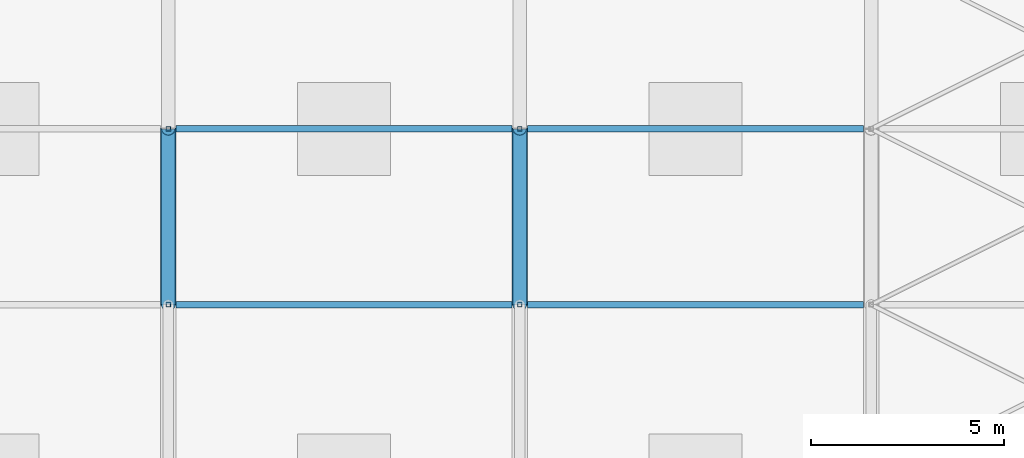
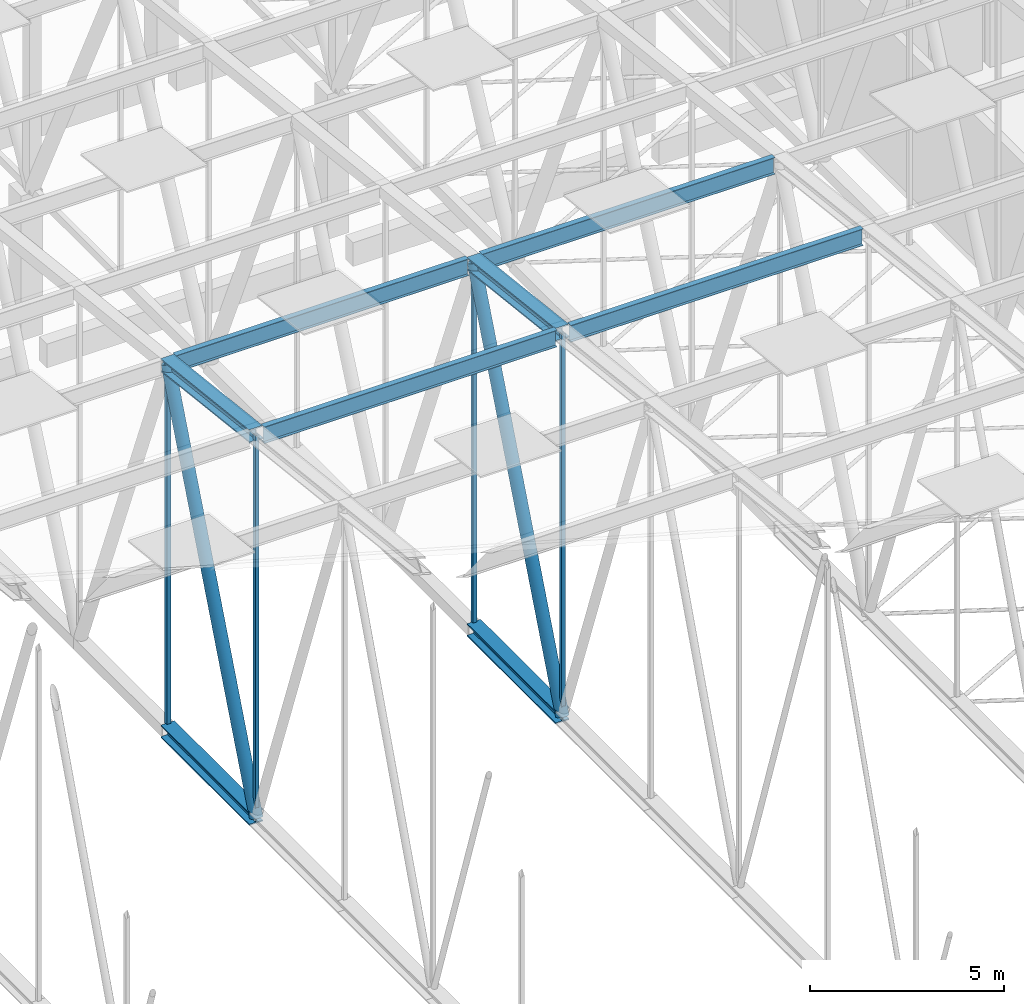
# One storey, part 268 of 500: 14 members.
"""IFC4 building model written with IfcOpenShell, lengths in metres."""

from ifc_helpers import new_model, si_unit, direction, frame, origin, origin_2d, place, context, subcontext, project, spatial, hollow_rectangle, hollow_circle, i_section, extrude, material, material_profile, profile_set, type_object, element, save


model = new_model("IFC4")

# Units and contexts
model_context = context("Model", 3, precision=1e-05, world=origin(), true_north=direction((0.0, 1.0)))
body_context = subcontext(model_context, "Body", "Model", "MODEL_VIEW")
ifc_project = project(units=[si_unit("LENGTHUNIT", "METRE"), si_unit("AREAUNIT", "SQUARE_METRE"), si_unit("VOLUMEUNIT", "CUBIC_METRE"), si_unit("PLANEANGLEUNIT", "RADIAN"), si_unit("MASSUNIT", "GRAM", prefix="KILO")], contexts=[model_context])

# Site, building, storey
site_placement = place(None, origin())
site = spatial("IfcSite", under=ifc_project, at=site_placement, CompositionType="ELEMENT")
building_placement = place(site_placement, origin())
building = spatial("IfcBuilding", under=site, at=building_placement, Name="Shirokan Park Arena", CompositionType="ELEMENT")
storey_placement = place(building_placement, frame((0.0, 0.0, 29.1201171875)))
storey = spatial("IfcBuildingStorey", under=building, at=storey_placement, Name="L06", CompositionType="ELEMENT", Elevation=29.1201171875)

# Members
ifc_material_1 = material(Name="Steel ASTM A992", Category="steel")
ifc_material_profile_1 = material_profile(ifc_material_1, i_section(OverallWidth=0.40087890625, OverallDepth=0.39892578125, WebThickness=0.02490234375, FlangeThickness=0.03955078125, at=origin_2d()), Name="W360X314")
ifc_profile_set_1 = profile_set([ifc_material_profile_1], Name="Steel ASTM A992")
member_type_1 = type_object("IfcMemberType", Name="Bottom chord W360X314", PredefinedType="CHORD", material=ifc_profile_set_1)
for number, where, z_axis, x_axis, name in (
    (1, (72.800048828125, 72.800048828125, 4.677001953125), (0.0, 1.0, 0.0), (-1.0, 0.0, 0.0), "Truss T09 bottom chord 19"),
    (2, (81.89990234375, 72.800048828125, 4.677001953125), (0.0, 1.0, 0.0), (-1.0, 0.0, 0.0), "Truss T10 bottom chord 19"),
):
    element("IfcMember", number, at=place(storey_placement, frame(where, z_axis=z_axis, x_axis=x_axis)), inside=storey, type_object=member_type_1, Name=name, PredefinedType="CHORD", context=body_context, shape_type="SweptSolid", body=[
        extrude(i_section(OverallWidth=0.40087890625, OverallDepth=0.39892578125, WebThickness=0.02490234375, FlangeThickness=0.03955078125, at=origin_2d()), origin(), (0.0, 0.0, 1.0), 4.550048828125),
    ])
ifc_material_profile_2 = material_profile(ifc_material_1, i_section(OverallWidth=0.166015625, OverallDepth=0.528076171875, WebThickness=0.009765625, FlangeThickness=0.013671875, at=origin_2d()), Name="W530X74")
ifc_profile_set_2 = profile_set([ifc_material_profile_2], Name="Steel ASTM A992")
member_type_2 = type_object("IfcMemberType", Name="Purlin W530X74", PredefinedType="PURLIN", material=ifc_profile_set_2)
for number, where, z_axis, x_axis, name in (
    (3, (73.00048828125, 72.800048828125, 16.64599609375), (1.0, 0.0, 0.0), (0.0, 1.0, 0.0), "Purlin 19 bay 9"),
    (4, (82.1005859375, 72.800048828125, 16.64599609375), (1.0, 0.0, 0.0), (0.0, 1.0, 0.0), "Purlin 19 bay 10"),
    (5, (73.00048828125, 77.35009765625, 16.1259765625), (1.0, 0.0, 0.0), (0.0, 1.0, 0.0), "Purlin 20 bay 9"),
    (6, (82.1005859375, 77.35009765625, 16.1259765625), (1.0, 0.0, 0.0), (0.0, 1.0, 0.0), "Purlin 20 bay 10"),
):
    element("IfcMember", number, at=place(storey_placement, frame(where, z_axis=z_axis, x_axis=x_axis)), inside=storey, type_object=member_type_2, Name=name, PredefinedType="PURLIN", context=body_context, shape_type="SweptSolid", body=[
        extrude(i_section(OverallWidth=0.166015625, OverallDepth=0.528076171875, WebThickness=0.009765625, FlangeThickness=0.013671875, at=origin_2d()), origin(), (0.0, 0.0, 1.0), 8.698974609375),
    ])
ifc_material_profile_3 = material_profile(ifc_material_1, i_section(OverallWidth=0.40087890625, OverallDepth=0.39892578125, WebThickness=0.02490234375, FlangeThickness=0.03955078125, at=origin_2d()), Name="W360X314")
ifc_profile_set_3 = profile_set([ifc_material_profile_3], Name="Steel ASTM A992")
member_type_3 = type_object("IfcMemberType", Name="Top chord W360X314", PredefinedType="CHORD", material=ifc_profile_set_3)
for number, where, z_axis, x_axis, name in (
    (7, (72.800048828125, 72.800048828125, 16.701416015625), (0.0, 0.993532328996, -0.113549598152), (-1.0, 0.0, 0.0), "Truss T09 top chord 19"),
    (8, (81.89990234375, 72.800048828125, 16.701416015625), (0.0, 0.993532328996, -0.113549598152), (-1.0, 0.0, 0.0), "Truss T10 top chord 19"),
):
    element("IfcMember", number, at=place(storey_placement, frame(where, z_axis=z_axis, x_axis=x_axis)), inside=storey, type_object=member_type_3, Name=name, PredefinedType="CHORD", context=body_context, shape_type="SweptSolid", body=[
        extrude(i_section(OverallWidth=0.40087890625, OverallDepth=0.39892578125, WebThickness=0.02490234375, FlangeThickness=0.03955078125, at=origin_2d()), origin(), (0.0, 0.0, 1.0), 4.57958984375),
    ])
ifc_material_2 = material(Name="Steel ASTM A500 Grade C", Category="steel")
ifc_material_profile_4 = material_profile(ifc_material_2, hollow_circle(Radius=0.177978515625, WallThickness=0.0126953125, at=origin_2d()), Name="HSS355.6X12.7")
ifc_profile_set_4 = profile_set([ifc_material_profile_4], Name="Steel ASTM A500 Grade C")
member_type_4 = type_object("IfcMemberType", Name="Truss diagonal HSS355.6X12.7", PredefinedType="BRACE", material=ifc_profile_set_4)
for number, where, z_axis, x_axis, name in (
    (9, (72.800048828125, 72.800048828125, 4.677001953125), (0.0, 0.367784702528, 0.929910970248), (-1.0, 0.0, 0.0), "Truss T09 diagonal 19"),
    (10, (81.89990234375, 72.800048828125, 4.677001953125), (0.0, 0.367784702528, 0.929910970248), (-1.0, 0.0, 0.0), "Truss T10 diagonal 19"),
):
    element("IfcMember", number, at=place(storey_placement, frame(where, z_axis=z_axis, x_axis=x_axis)), inside=storey, type_object=member_type_4, Name=name, PredefinedType="BRACE", context=body_context, shape_type="SweptSolid", body=[
        extrude(hollow_circle(Radius=0.177978515625, WallThickness=0.0126953125, at=origin_2d()), origin(), (0.0, 0.0, 1.0), 12.37158203125),
    ])
ifc_material_profile_5 = material_profile(ifc_material_2, hollow_rectangle(XDim=0.114013671875, YDim=0.114013671875, WallThickness=0.00634765625, at=origin_2d()), Name="HSS114.3X114.3X6.4")
ifc_profile_set_5 = profile_set([ifc_material_profile_5], Name="Steel ASTM A500 Grade C")
member_type_5 = type_object("IfcMemberType", Name="Truss post HSS114.3X114.3X6.4", PredefinedType="POST", material=ifc_profile_set_5)
member_1_placement = place(storey_placement, frame((72.800048828125, 72.800048828125, 4.677001953125), z_axis=(0.0, 0.0, 1.0), x_axis=(1.0, 0.0, 0.0)))
element("IfcMember", 11, at=member_1_placement, inside=storey, type_object=member_type_5, Name="Truss T09 post 19", PredefinedType="POST", context=body_context, shape_type="SweptSolid", body=[
    extrude(hollow_rectangle(XDim=0.114013671875, YDim=0.114013671875, WallThickness=0.00634765625, at=origin_2d()), origin(), (0.0, 0.0, 1.0), 12.0244140625),
])
member_2_placement = place(storey_placement, frame((72.800048828125, 77.35009765625, 4.677001953125), z_axis=(0.0, 0.0, 1.0), x_axis=(1.0, 0.0, 0.0)))
element("IfcMember", 12, at=member_2_placement, inside=storey, type_object=member_type_5, Name="Truss T09 post 20", PredefinedType="POST", context=body_context, shape_type="SweptSolid", body=[
    extrude(hollow_rectangle(XDim=0.114013671875, YDim=0.114013671875, WallThickness=0.00634765625, at=origin_2d()), origin(), (0.0, 0.0, 1.0), 11.50439453125),
])
member_3_placement = place(storey_placement, frame((81.89990234375, 72.800048828125, 4.677001953125), z_axis=(0.0, 0.0, 1.0), x_axis=(1.0, 0.0, 0.0)))
element("IfcMember", 13, at=member_3_placement, inside=storey, type_object=member_type_5, Name="Truss T10 post 19", PredefinedType="POST", context=body_context, shape_type="SweptSolid", body=[
    extrude(hollow_rectangle(XDim=0.114013671875, YDim=0.114013671875, WallThickness=0.00634765625, at=origin_2d()), origin(), (0.0, 0.0, 1.0), 12.0244140625),
])
member_4_placement = place(storey_placement, frame((81.89990234375, 77.35009765625, 4.677001953125), z_axis=(0.0, 0.0, 1.0), x_axis=(1.0, 0.0, 0.0)))
element("IfcMember", 14, at=member_4_placement, inside=storey, type_object=member_type_5, Name="Truss T10 post 20", PredefinedType="POST", context=body_context, shape_type="SweptSolid", body=[
    extrude(hollow_rectangle(XDim=0.114013671875, YDim=0.114013671875, WallThickness=0.00634765625, at=origin_2d()), origin(), (0.0, 0.0, 1.0), 11.50439453125),
])

save(model, "model.ifc")
